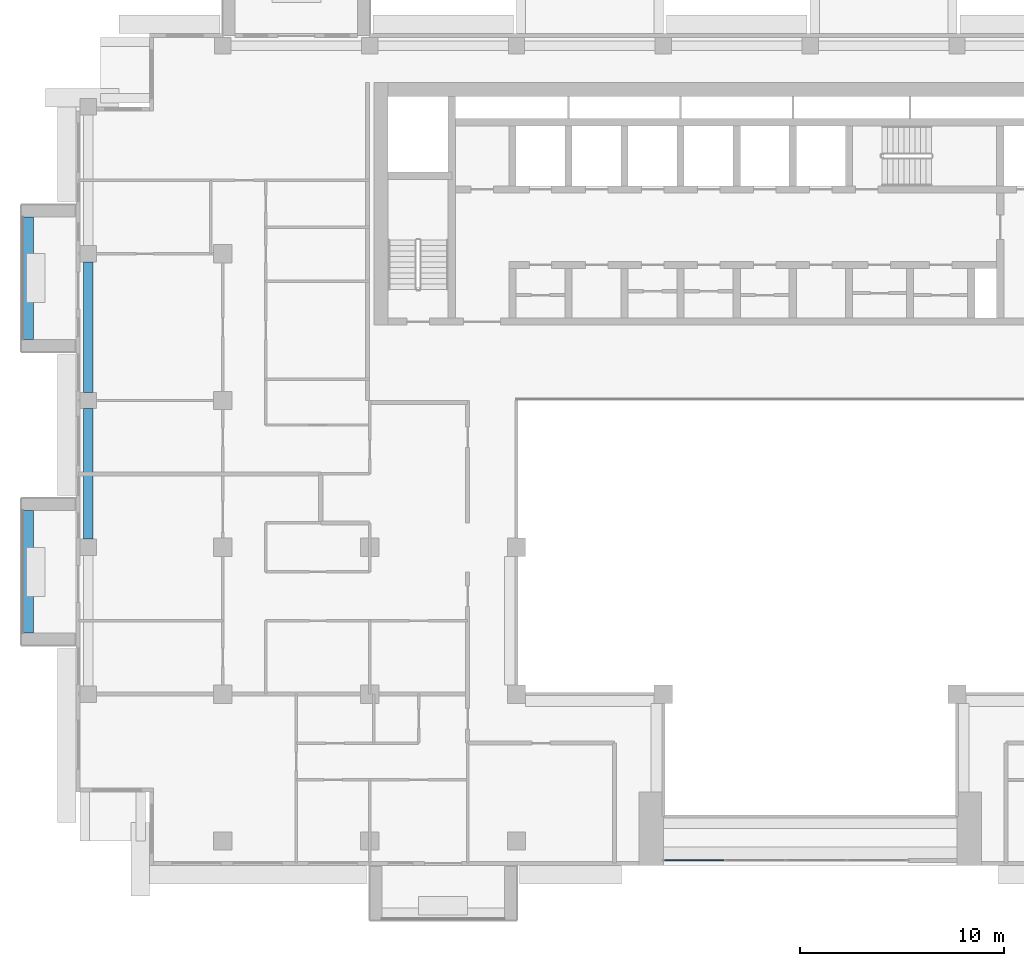
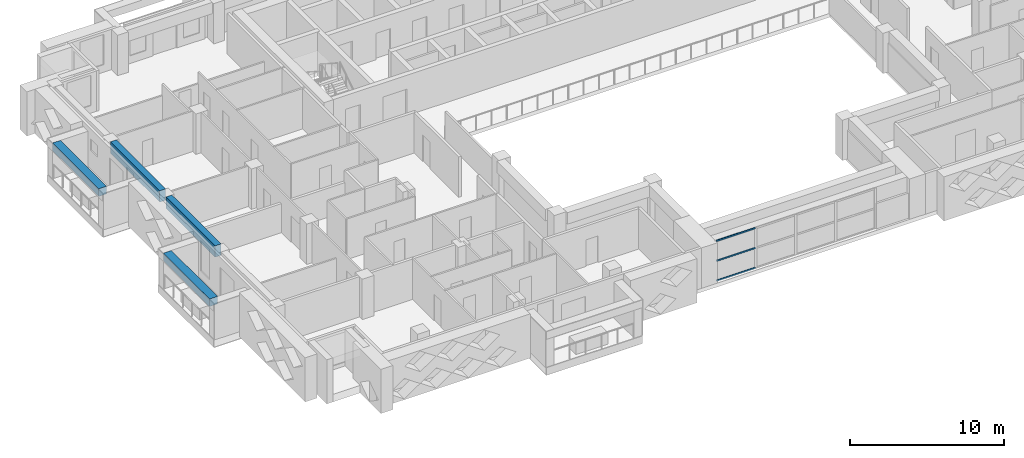
# One storey, part 3 of 20: 4 beams, 3 members, 1 element without a shape of its own.
"""IFC4 building model written with IfcOpenShell, lengths in metres."""

from ifc_helpers import new_model, si_unit, direction, frame, origin, origin_2d, place, context, subcontext, project, spatial, rectangle, extrude, source, transform, mapped, material, layer, layer_set, material_profile, profile_set, type_object, element, aggregate, save


model = new_model("IFC4")

# Units and contexts
model_context = context("Model", 3, precision=1e-05, world=origin(), true_north=direction((0.0, 1.0)))
body_context = subcontext(model_context, "Body", "Model", "MODEL_VIEW")
ifc_project = project(units=[si_unit("LENGTHUNIT", "METRE"), si_unit("AREAUNIT", "SQUARE_METRE"), si_unit("VOLUMEUNIT", "CUBIC_METRE"), si_unit("PLANEANGLEUNIT", "RADIAN"), si_unit("MASSUNIT", "GRAM", prefix="KILO")], contexts=[model_context])

# Site, building, storey
site_placement = place(None, origin())
site = spatial("IfcSite", under=ifc_project, at=site_placement, CompositionType="ELEMENT")
building_placement = place(site_placement, origin())
building = spatial("IfcBuilding", under=site, at=building_placement, Name="Saffron Iwan Residences", CompositionType="ELEMENT")
storey_placement = place(building_placement, frame((0.0, 0.0, 178.0)))
storey = spatial("IfcBuildingStorey", under=building, at=storey_placement, Name="L47", CompositionType="ELEMENT", Elevation=178.0)

# Beams
ifc_material_1 = material(Name="Concrete C50/60", Category="concrete")
ifc_material_profile_1 = material_profile(ifc_material_1, rectangle(XDim=0.449951171875, YDim=0.89990234375, at=origin_2d()), Name="RC 450x900")
ifc_profile_set_1 = profile_set([ifc_material_profile_1], Name="Concrete C50/60")
beam_type_1 = type_object("IfcBeamType", Name="SPANDREL BEAM RC 450x900 C50/60 TOP 3200", PredefinedType="SPANDREL", material=ifc_profile_set_1)
shared_shape_1 = source(origin(), body_context, "Body", "SweptSolid", [
    extrude(rectangle(XDim=0.449951171875, YDim=0.89990234375, at=origin_2d()), origin(), (0.0, 0.0, 1.0), 6.39990234375),
])
for number, where, z_axis, x_axis, name in (
    (1, (15.0, 55.60009765625, 2.75), (0.0, 1.0, 0.0), (-1.0, 0.0, 0.0), "Spandrel beam"),
    (2, (15.0, 62.800048828125, 2.75), (0.0, 1.0, 0.0), (-1.0, 0.0, 0.0), "Spandrel beam"),
):
    element("IfcBeam", number, at=place(storey_placement, frame(where, z_axis=z_axis, x_axis=x_axis)), inside=storey, type_object=beam_type_1, Name=name, PredefinedType="SPANDREL", context=body_context, shape_type="MappedRepresentation", body=[
        mapped(shared_shape_1, transform((0.0, 0.0, 0.0))),
    ])

# Curtain wall, members
ifc_material_2 = material(Name="Clear glass, laminated double glazed", Category="glass")
ifc_layer = layer(ifc_material_2, 0.199951171875)
ifc_layer_set = layer_set([ifc_layer], Name="Clear glass, laminated double glazed")
curtain_wall_type = type_object("IfcCurtainWallType", Name="CW-B IWAN PORTAL", PredefinedType="NOTDEFINED", material=ifc_layer_set)
curtain_wall_placement = place(storey_placement, origin())
curtain_wall = element("IfcCurtainWall", 3, at=curtain_wall_placement, inside=storey, type_object=curtain_wall_type, Name="Iwan portal glazing L47.1", PredefinedType="NOTDEFINED")
ifc_material_3 = material(Name="Aluminium 6063-T6", Category="aluminium")
ifc_material_profile_2 = material_profile(ifc_material_3, rectangle(XDim=0.06005859375, YDim=0.1201171875, at=origin_2d()), Name="CW-B TRANSOM 60 x 120")
ifc_profile_set_2 = profile_set([ifc_material_profile_2], Name="Aluminium 6063-T6")
member_type = type_object("IfcMemberType", Name="CW-B TRANSOM 60 x 120", PredefinedType="USERDEFINED", material=ifc_profile_set_2)
shared_shape_2 = source(origin(), body_context, "Body", "SweptSolid", [
    extrude(rectangle(XDim=0.06005859375, YDim=0.1201171875, at=origin_2d()), origin(), (0.0, 0.0, 1.0), 2.909912109375),
])
member_1_placement = place(storey_placement, frame((43.260009765625, 39.85009765625, 0.030029296875), z_axis=(1.0, 0.0, 0.0), x_axis=(0.0, 1.0, 0.0)))
member_1 = element("IfcMember", 4, at=member_1_placement, type_object=member_type, Name="CW-B transom 1.1", ObjectType="TRANSOM", PredefinedType="USERDEFINED", context=body_context, shape_type="MappedRepresentation", body=[
    mapped(shared_shape_2, transform((0.0, 0.0, 0.0))),
])
member_2_placement = place(storey_placement, frame((43.260009765625, 39.85009765625, 1.60009765625), z_axis=(1.0, 0.0, 0.0), x_axis=(0.0, 1.0, 0.0)))
member_2 = element("IfcMember", 5, at=member_2_placement, type_object=member_type, Name="CW-B transom 1.2", ObjectType="TRANSOM", PredefinedType="USERDEFINED", context=body_context, shape_type="MappedRepresentation", body=[
    mapped(shared_shape_2, transform((0.0, 0.0, 0.0))),
])
member_3_placement = place(storey_placement, frame((43.260009765625, 39.85009765625, 3.169921875), z_axis=(1.0, 0.0, 0.0), x_axis=(0.0, 1.0, 0.0)))
member_3 = element("IfcMember", 6, at=member_3_placement, type_object=member_type, Name="CW-B transom 1.3", ObjectType="TRANSOM", PredefinedType="USERDEFINED", context=body_context, shape_type="MappedRepresentation", body=[
    mapped(shared_shape_2, transform((0.0, 0.0, 0.0))),
])
aggregate(curtain_wall, [member_1, member_2, member_3])

# Beams
ifc_material_4 = material(Name="Concrete C50/60 white painted", Category="concrete")
ifc_material_profile_3 = material_profile(ifc_material_4, rectangle(XDim=0.60009765625, YDim=0.60009765625, at=origin_2d()), Name="BALCONY FASCIA BEAM 600 x 600")
ifc_profile_set_3 = profile_set([ifc_material_profile_3], Name="Concrete C50/60 white painted")
beam_type_2 = type_object("IfcBeamType", Name="BALCONY FASCIA BEAM 600 x 600", PredefinedType="BEAM", material=ifc_profile_set_3)
shared_shape_3 = source(origin(), body_context, "Body", "SweptSolid", [
    extrude(rectangle(XDim=0.60009765625, YDim=0.60009765625, at=origin_2d()), origin(), (0.0, 0.0, 1.0), 6.0),
])
for number, where, z_axis, x_axis, name in (
    (7, (12.0, 71.39990234375, 2.550048828125), (0.0, -1.0, 0.0), (1.0, 0.0, 0.0), "Balcony fascia beam L47 F8-0"),
    (8, (12.0, 57.0, 2.550048828125), (0.0, -1.0, 0.0), (1.0, 0.0, 0.0), "Balcony fascia beam L47 F8-1"),
):
    element("IfcBeam", number, at=place(storey_placement, frame(where, z_axis=z_axis, x_axis=x_axis)), inside=storey, type_object=beam_type_2, Name=name, PredefinedType="BEAM", context=body_context, shape_type="MappedRepresentation", body=[
        mapped(shared_shape_3, transform((0.0, 0.0, 0.0))),
    ])

save(model, "model.ifc")
